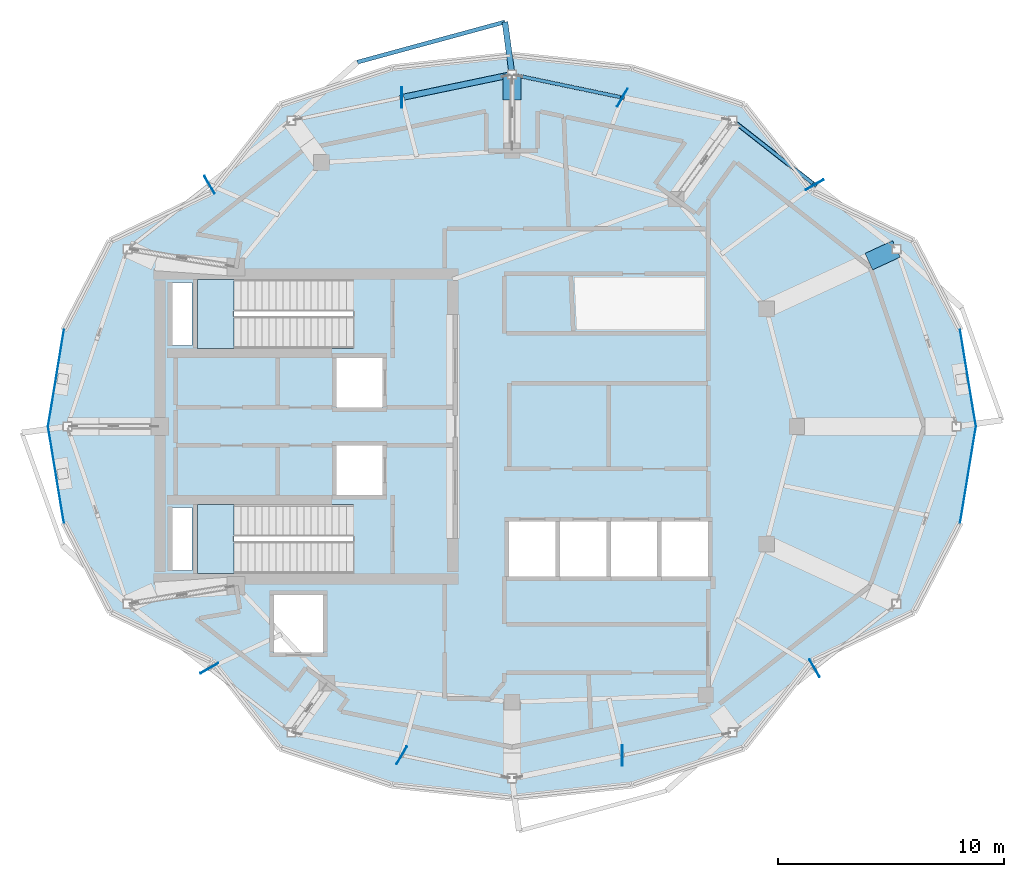
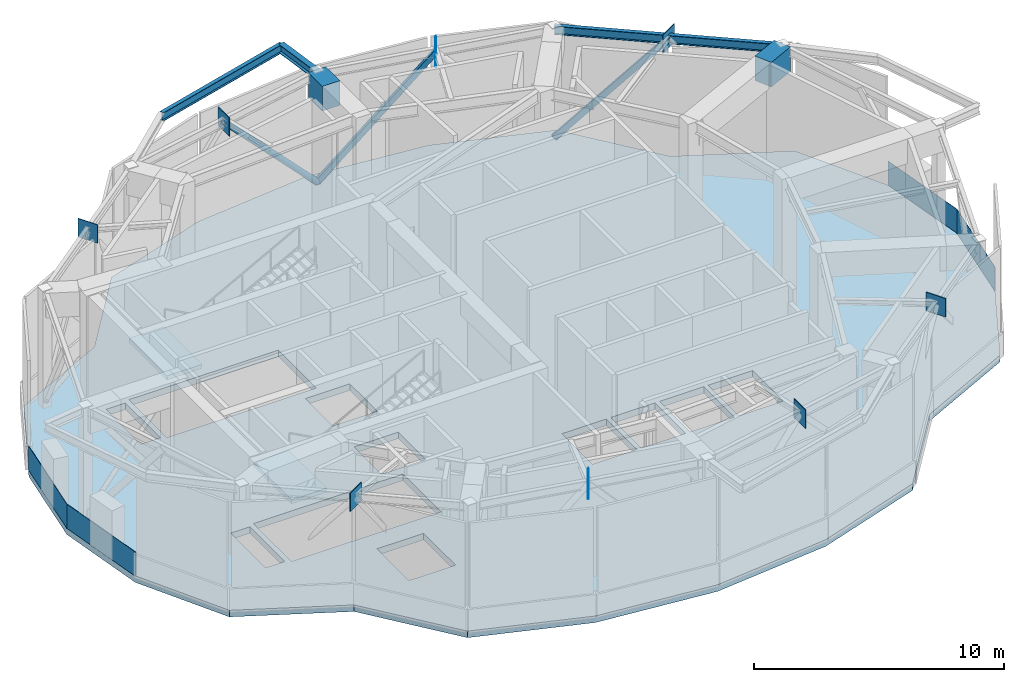
# One storey, part 3 of 9: 12 plates, 5 beams, 3 members, 3 slabs, 2 elements without a shape of their own.
"""IFC4 building model written with IfcOpenShell, lengths in metres."""

from ifc_helpers import new_model, si_unit, direction, frame, origin, origin_2d, place, context, subcontext, project, spatial, polyline, rectangle, hollow_rectangle, hollow_circle, i_section, outline, extrude, material, layer, layer_set, material_profile, profile_set, type_object, element, aggregate, save


model = new_model("IFC4")

# Units and contexts
model_context = context("Model", 3, precision=1e-05, world=origin(), true_north=direction((0.0, 1.0)))
body_context = subcontext(model_context, "Body", "Model", "MODEL_VIEW")
ifc_project = project(units=[si_unit("LENGTHUNIT", "METRE"), si_unit("AREAUNIT", "SQUARE_METRE"), si_unit("VOLUMEUNIT", "CUBIC_METRE"), si_unit("PLANEANGLEUNIT", "RADIAN"), si_unit("MASSUNIT", "GRAM", prefix="KILO")], contexts=[model_context])

# Site, building, storey
site_placement = place(None, origin())
site = spatial("IfcSite", under=ifc_project, at=site_placement, CompositionType="ELEMENT")
building_placement = place(site_placement, origin())
building = spatial("IfcBuilding", under=site, at=building_placement, Name="Kolvaren Gate Tower and Convention Centre", CompositionType="ELEMENT")
storey_placement = place(building_placement, frame((0.0, 0.0, 275.60009765625)))
storey = spatial("IfcBuildingStorey", under=building, at=storey_placement, Name="L75", CompositionType="ELEMENT", Elevation=275.60009765625)

# Beam
ifc_material_1 = material(Name="Structural steel ASTM A992 Grade 345 MPa", Category="steel")
ifc_material_profile_1 = material_profile(ifc_material_1, i_section(OverallWidth=0.260009765625, OverallDepth=0.419921875, WebThickness=0.013427734375, FlangeThickness=0.0224609375, at=origin_2d()), Name="W410X132")
ifc_profile_set_1 = profile_set([ifc_material_profile_1], Name="Structural steel ASTM A992 Grade 345 MPa")
beam_type_1 = type_object("IfcBeamType", Name="STR-BM-W410X132", PredefinedType="BEAM", material=ifc_profile_set_1)
beam_1_placement = place(storey_placement, frame((30.125, 42.574951171875, 5.510498046875), z_axis=(-0.133111237229, 0.991101104088, 0.0), x_axis=(-0.991101104088, -0.133111237229, 0.0)))
element("IfcBeam", 1, at=beam_1_placement, inside=storey, type_object=beam_type_1, Name="Tower L76 Planted Balcony Outrigger Cantilever BC-2A", PredefinedType="BEAM", context=body_context, shape_type="SweptSolid", body=[
    extrude(i_section(OverallWidth=0.260009765625, OverallDepth=0.419921875, WebThickness=0.013427734375, FlangeThickness=0.0224609375, at=origin_2d()), origin(), (0.0, 0.0, 1.0), 2.345947265625),
])

# Members
ifc_material_2 = material(Name="Structural steel ASTM A500 Grade C 345 MPa", Category="steel")
ifc_material_profile_2 = material_profile(ifc_material_2, hollow_circle(Radius=0.136474609375, WallThickness=0.0126953125, at=origin_2d()), Name="CHS273X12.7")
ifc_profile_set_2 = profile_set([ifc_material_profile_2], Name="Structural steel ASTM A500 Grade C 345 MPa")
member_type_1 = type_object("IfcMemberType", Name="STR-BR-CHS273", PredefinedType="BRACE", material=ifc_profile_set_2)
member_1_placement = place(storey_placement, frame((30.125, 42.574951171875, 0.25), z_axis=(-0.673567895344, -0.140639495069, 0.725621680208), x_axis=(0.204389983276, -0.978889541642, 0.0)))
element("IfcMember", 2, at=member_1_placement, inside=storey, type_object=member_type_1, Name="Perimeter Belt Truss Diagonal BT-L75-04A", PredefinedType="BRACE", context=body_context, shape_type="SweptSolid", body=[
    extrude(hollow_circle(Radius=0.136474609375, WallThickness=0.0126953125, at=origin_2d()), origin(), (0.0, 0.0, 1.0), 7.2509765625),
])
ifc_material_profile_3 = material_profile(ifc_material_2, hollow_rectangle(XDim=0.152099609375, YDim=0.25390625, WallThickness=0.009521484375, at=origin_2d()), Name="HSS254X152X9.5")
ifc_profile_set_3 = profile_set([ifc_material_profile_3], Name="Structural steel ASTM A500 Grade C 345 MPa")
member_type_2 = type_object("IfcMemberType", Name="STR-BR-HSS254X152", PredefinedType="BRACE", material=ifc_profile_set_3)
member_2_placement = place(storey_placement, frame((39.893310546875, 40.53515625, 0.25), z_axis=(0.517951384753, -0.406243229342, 0.752790011654), x_axis=(0.617146377238, 0.78684836472, 0.0)))
element("IfcMember", 3, at=member_2_placement, inside=storey, type_object=member_type_2, Name="Perimeter Belt Truss Diagonal BT-L75-02B", PredefinedType="BRACE", context=body_context, shape_type="SweptSolid", body=[
    extrude(hollow_rectangle(XDim=0.152099609375, YDim=0.25390625, WallThickness=0.009521484375, at=origin_2d()), origin(), (0.0, 0.0, 1.0), 6.9892578125),
])
member_3_placement = place(storey_placement, frame((30.125, 42.574951171875, 0.25), z_axis=(0.673567895344, -0.140639495069, 0.725621680208), x_axis=(0.204389983276, 0.978889541642, 0.0)))
element("IfcMember", 4, at=member_3_placement, inside=storey, type_object=member_type_2, Name="Perimeter Belt Truss Diagonal BT-L75-03B", PredefinedType="BRACE", context=body_context, shape_type="SweptSolid", body=[
    extrude(hollow_rectangle(XDim=0.152099609375, YDim=0.25390625, WallThickness=0.009521484375, at=origin_2d()), origin(), (0.0, 0.0, 1.0), 7.2509765625),
])

# Beams
ifc_material_profile_4 = material_profile(ifc_material_1, i_section(OverallWidth=0.180908203125, OverallDepth=0.4169921875, WebThickness=0.010986328125, FlangeThickness=0.018310546875, at=origin_2d()), Name="W410X85")
ifc_profile_set_4 = profile_set([ifc_material_profile_4], Name="Structural steel ASTM A992 Grade 345 MPa")
beam_type_2 = type_object("IfcBeamType", Name="STR-SP-W410X85", PredefinedType="SPANDREL", material=ifc_profile_set_4)
beam_2_placement = place(storey_placement, frame((47.1337890625, 34.856201171875, 5.511474609375), z_axis=(-0.786845586039, 0.61714991998, 0.0), x_axis=(-0.61714991998, -0.786845586039, 0.0)))
element("IfcBeam", 5, at=beam_2_placement, inside=storey, type_object=beam_type_2, Name="Tower L75 Perimeter Spandrel Beam SP-02", PredefinedType="SPANDREL", context=body_context, shape_type="SweptSolid", body=[
    extrude(i_section(OverallWidth=0.180908203125, OverallDepth=0.4169921875, WebThickness=0.010986328125, FlangeThickness=0.018310546875, at=origin_2d()), origin(), (0.0, 0.0, 1.0), 9.201904296875),
])
beam_3_placement = place(storey_placement, frame((29.812744140625, 44.89990234375, 5.511962890625), z_axis=(-0.964863562428, -0.262751414647, 0.0), x_axis=(0.262751414647, -0.964863562428, 0.0)))
element("IfcBeam", 6, at=beam_3_placement, inside=storey, type_object=beam_type_2, Name="Tower L76 Planted Balcony Header Tie Beam BT-2", PredefinedType="SPANDREL", context=body_context, shape_type="SweptSolid", body=[
    extrude(i_section(OverallWidth=0.180908203125, OverallDepth=0.4169921875, WebThickness=0.010986328125, FlangeThickness=0.018310546875, at=origin_2d()), origin(), (0.0, 0.0, 1.0), 6.773681640625),
])
ifc_material_3 = material(Name="Concrete C70/85", Category="concrete")
ifc_material_profile_5 = material_profile(ifc_material_3, rectangle(XDim=0.800048828125, YDim=1.199951171875, at=origin_2d()), Name="RC-BM-800X1200")
ifc_profile_set_5 = profile_set([ifc_material_profile_5], Name="Concrete C70/85")
beam_type_3 = type_object("IfcBeamType", Name="STR-TG-RC800X1200", PredefinedType="USERDEFINED", material=ifc_profile_set_5)
beam_4_placement = place(storey_placement, frame((45.916015625, 34.293701171875, 5.120361328125), z_axis=(0.907831496162, 0.41933515781, 0.0), x_axis=(-0.41933515781, 0.907831496162, 0.0)))
element("IfcBeam", 7, at=beam_4_placement, inside=storey, type_object=beam_type_3, Name="Tower L75 Zone-Transition Radial Transfer Girder XFG-02B", ObjectType="TRANSFER GIRDER", PredefinedType="USERDEFINED", context=body_context, shape_type="SweptSolid", body=[
    extrude(rectangle(XDim=0.800048828125, YDim=1.199951171875, at=origin_2d()), origin(), (0.0, 0.0, 1.0), 1.34130859375),
])
beam_5_placement = place(storey_placement, frame((30.125, 41.449951171875, 5.120361328125), z_axis=(0.0, 1.0, 0.0), x_axis=(-1.0, 0.0, 0.0)))
element("IfcBeam", 8, at=beam_5_placement, inside=storey, type_object=beam_type_3, Name="Tower L75 Zone-Transition Radial Transfer Girder XFG-04B", ObjectType="TRANSFER GIRDER", PredefinedType="USERDEFINED", context=body_context, shape_type="SweptSolid", body=[
    extrude(rectangle(XDim=0.800048828125, YDim=1.199951171875, at=origin_2d()), origin(), (0.0, 0.0, 1.0), 1.125),
])

# Plates
ifc_material_4 = material(Name="Perforated Anodized Bronze Aluminium Sheet 6 mm", Category="aluminium")
ifc_layer_1 = layer(ifc_material_4, 0.011962890625)
ifc_layer_set_1 = layer_set([ifc_layer_1], Name="Perforated Anodized Bronze Aluminium Sheet 6 mm")
plate_type_1 = type_object("IfcPlateType", Name="ARCH-PL-SCREEN-PERF", PredefinedType="SHEET", material=ifc_layer_set_1)
for number, where, z_axis, x_axis, name in (
    (9, (50.306396484375, 29.12548828125, -0.01025390625), (0.0, 0.0, 1.0), (0.162385734509, -0.986727355062, 0.0), "Turbine Slot Aerodynamic Venturi Shroud TS-00"),
    (10, (9.943603515625, 29.12548828125, -0.01025390625), (0.0, 0.0, 1.0), (0.162385734509, 0.986727355062, 0.0), "Turbine Slot Aerodynamic Venturi Shroud TS-11"),
    (11, (9.943603515625, 24.87451171875, -0.01025390625), (0.0, 0.0, 1.0), (0.162385734509, -0.986727355062, 0.0), "Turbine Slot Aerodynamic Venturi Shroud TS-12"),
    (12, (50.306396484375, 24.87451171875, -0.01025390625), (0.0, 0.0, 1.0), (0.162385734509, 0.986727355062, 0.0), "Turbine Slot Aerodynamic Venturi Shroud TS-23"),
):
    element("IfcPlate", number, at=place(storey_placement, frame(where, z_axis=z_axis, x_axis=x_axis)), inside=storey, type_object=plate_type_1, Name=name, PredefinedType="SHEET", context=body_context, shape_type="SweptSolid", body=[
        extrude(rectangle(XDim=4.348388671875, YDim=0.01611328125, at=origin_2d()), origin(), (0.0, 0.0, 1.0), 1.179931640625),
    ])
ifc_material_5 = material(Name="Structural steel plate ASTM A572 Grade 345 MPa", Category="steel")
ifc_layer_2 = layer(ifc_material_5, 0.035888671875)
ifc_layer_set_2 = layer_set([ifc_layer_2], Name="Structural steel plate ASTM A572 Grade 345 MPa")
plate_type_2 = type_object("IfcPlateType", Name="STR-PL-GUSSET-36", PredefinedType="USERDEFINED", material=ifc_layer_set_2)
for number, where, z_axis, x_axis, name in (
    (13, (43.513427734375, 37.69580078125, 5.0615234375), (0.0, 0.0, 1.0), (0.866025403784, 0.5, 0.0), "Belt Truss Concentric Node Gusset Plate GP-L75-02"),
    (14, (35.009033203125, 41.55517578125, 5.0615234375), (0.0, 0.0, 1.0), (0.5, 0.866025403784, 0.0), "Belt Truss Concentric Node Gusset Plate GP-L75-03"),
    (15, (25.240966796875, 41.55517578125, 5.0615234375), (0.0, 0.0, 1.0), (0.0, 1.0, 0.0), "Belt Truss Concentric Node Gusset Plate GP-L75-04"),
    (16, (16.736572265625, 37.69580078125, 5.0615234375), (0.0, 0.0, 1.0), (-0.5, 0.866025403784, 0.0), "Belt Truss Concentric Node Gusset Plate GP-L75-05"),
    (17, (16.736572265625, 16.30419921875, 5.0615234375), (0.0, 0.0, 1.0), (-0.866025403784, -0.5, 0.0), "Belt Truss Concentric Node Gusset Plate GP-L75-08"),
    (18, (25.240966796875, 12.44482421875, 5.0615234375), (0.0, 0.0, 1.0), (-0.5, -0.866025403784, 0.0), "Belt Truss Concentric Node Gusset Plate GP-L75-09"),
    (19, (35.009033203125, 12.44482421875, 5.0615234375), (0.0, 0.0, 1.0), (0.0, -1.0, 0.0), "Belt Truss Concentric Node Gusset Plate GP-L75-10"),
    (20, (43.513427734375, 16.30419921875, 5.0615234375), (0.0, 0.0, 1.0), (0.5, -0.866025403784, 0.0), "Belt Truss Concentric Node Gusset Plate GP-L75-11"),
):
    element("IfcPlate", number, at=place(storey_placement, frame(where, z_axis=z_axis, x_axis=x_axis)), inside=storey, type_object=plate_type_2, Name=name, ObjectType="GUSSET PLATE", PredefinedType="USERDEFINED", context=body_context, shape_type="SweptSolid", body=[
        extrude(rectangle(XDim=0.89990234375, YDim=0.035888671875, at=origin_2d()), origin(), (0.0, 0.0, 1.0), 0.89990234375),
    ])

# Slab
ifc_material_6 = material(Name="Concrete C50/60", Category="concrete")
ifc_layer_3 = layer(ifc_material_6, 0.320068359375)
ifc_layer_set_3 = layer_set([ifc_layer_3], Name="Concrete C50/60")
slab_type_1 = type_object("IfcSlabType", Name="STR-SL-FLR-320", PredefinedType="FLOOR", material=ifc_layer_set_3)
slab_1_placement = place(storey_placement, frame((0.0, 0.0, -0.320068359375)))
element("IfcSlab", 21, at=slab_1_placement, inside=storey, type_object=slab_type_1, Name="Tower L75 Structural Floor Slab", PredefinedType="FLOOR", context=body_context, shape_type="SweptSolid", body=[
    extrude(outline(polyline([(50.65625, 27.0), (49.95654296875, 31.251220703125), (47.905517578125, 35.21240234375), (43.40380859375, 37.37548828125), (40.390625, 41.224609375), (35.43896484375, 42.865234375), (30.125, 43.425048828125), (24.81103515625, 42.865234375), (19.859375, 41.224609375), (16.84619140625, 37.37548828125), (12.344482421875, 35.21240234375), (10.29345703125, 31.251220703125), (9.59375, 27.0), (10.29345703125, 22.748779296875), (12.344482421875, 18.78759765625), (16.84619140625, 16.62451171875), (19.859375, 12.775390625), (24.81103515625, 11.134765625), (30.125, 10.574951171875), (35.43896484375, 11.134765625), (40.390625, 12.775390625), (43.40380859375, 16.62451171875), (47.905517578125, 18.78759765625), (49.95654296875, 22.748779296875), (50.65625, 27.0)]), holes=[polyline([(36.75, 20.35009765625), (36.75, 22.800048828125), (38.800048828125, 22.800048828125), (38.800048828125, 20.35009765625), (36.75, 20.35009765625)]), polyline([(36.550048828125, 20.35009765625), (34.5, 20.35009765625), (34.5, 22.800048828125), (36.550048828125, 22.800048828125), (36.550048828125, 20.35009765625)]), polyline([(32.25, 20.35009765625), (32.25, 22.800048828125), (34.300048828125, 22.800048828125), (34.300048828125, 20.35009765625), (32.25, 20.35009765625)]), polyline([(30.0, 20.35009765625), (30.0, 22.800048828125), (32.050048828125, 22.800048828125), (32.050048828125, 20.35009765625), (30.0, 20.35009765625)]), polyline([(22.35009765625, 23.9599609375), (22.35009765625, 26.159912109375), (24.39990234375, 26.159912109375), (24.39990234375, 23.9599609375), (22.35009765625, 23.9599609375)]), polyline([(22.35009765625, 27.840087890625), (22.35009765625, 30.0400390625), (24.39990234375, 30.0400390625), (24.39990234375, 27.840087890625), (22.35009765625, 27.840087890625)]), polyline([(16.199951171875, 23.5400390625), (23.10009765625, 23.5400390625), (23.10009765625, 20.5), (16.199951171875, 20.5), (16.199951171875, 23.5400390625)]), polyline([(16.199951171875, 33.5), (23.10009765625, 33.5), (23.10009765625, 30.4599609375), (16.199951171875, 30.4599609375), (16.199951171875, 33.5)]), polyline([(21.75, 17.0), (19.60009765625, 17.0), (19.60009765625, 19.550048828125), (21.75, 19.550048828125), (21.75, 17.0)]), polyline([(15.080078125, 30.580078125), (15.080078125, 33.3701171875), (15.969970703125, 33.3701171875), (15.969970703125, 30.580078125), (15.080078125, 30.580078125)]), polyline([(15.969970703125, 20.6298828125), (15.080078125, 20.6298828125), (15.080078125, 23.419921875), (15.969970703125, 23.419921875), (15.969970703125, 20.6298828125)])]), origin(), (0.0, 0.0, 1.0), 0.320068359375),
])

# Stair, slab
stair_type = type_object("IfcStairType", Name="STR-STAIR-CORE", PredefinedType="HALF_TURN_STAIR", material=ifc_material_6)
stair_1_placement = place(storey_placement, origin())
stair_1 = element("IfcStair", 22, at=stair_1_placement, inside=storey, type_object=stair_type, Name="L75 Tower North Exit Stair ST-T1", PredefinedType="HALF_TURN_STAIR")
ifc_layer_4 = layer(ifc_material_6, 0.199951171875)
ifc_layer_set_4 = layer_set([ifc_layer_4], Name="Concrete C50/60")
slab_type_2 = type_object("IfcSlabType", Name="STR-SL-LAND-200", PredefinedType="LANDING", material=ifc_layer_set_4)
slab_2_placement = place(storey_placement, frame((0.0, 0.0, 2.7998046875)))
slab_2 = element("IfcSlab", 23, at=slab_2_placement, type_object=slab_type_2, Name="ST-T1 landing 1", PredefinedType="LANDING", context=body_context, shape_type="SweptSolid", body=[
    extrude(outline(polyline([(17.830078125, 33.5), (16.199951171875, 33.5), (16.199951171875, 30.4599609375), (17.830078125, 30.4599609375), (17.830078125, 33.5)])), origin(), (0.0, 0.0, 1.0), 0.2001953125),
])
aggregate(stair_1, [slab_2])

stair_2_placement = place(storey_placement, origin())
stair_2 = element("IfcStair", 24, at=stair_2_placement, inside=storey, type_object=stair_type, Name="L75 Tower South Exit Stair ST-T2", PredefinedType="HALF_TURN_STAIR")
slab_3_placement = place(storey_placement, frame((0.0, 0.0, 2.7998046875)))
slab_3 = element("IfcSlab", 25, at=slab_3_placement, type_object=slab_type_2, Name="ST-T2 landing 1", PredefinedType="LANDING", context=body_context, shape_type="SweptSolid", body=[
    extrude(outline(polyline([(17.830078125, 23.5400390625), (16.199951171875, 23.5400390625), (16.199951171875, 20.5), (17.830078125, 20.5), (17.830078125, 23.5400390625)])), origin(), (0.0, 0.0, 1.0), 0.2001953125),
])
aggregate(stair_2, [slab_3])

save(model, "model.ifc")
